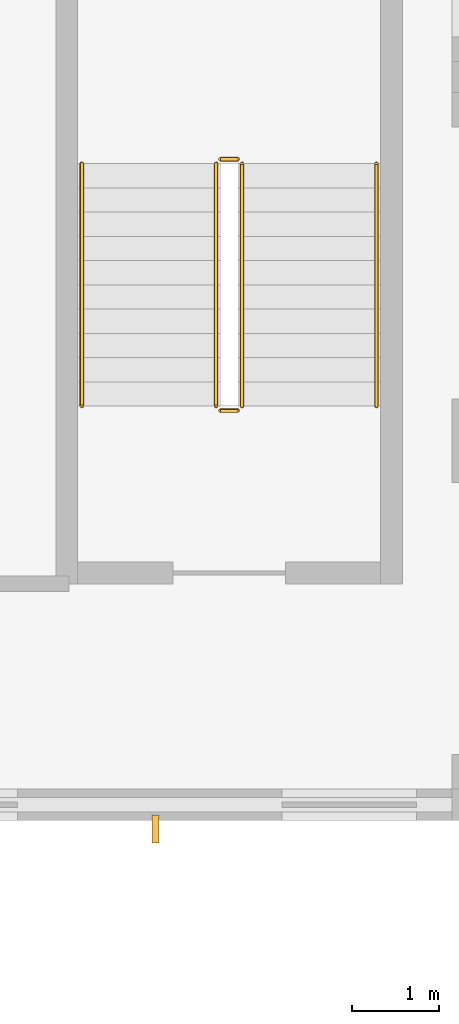
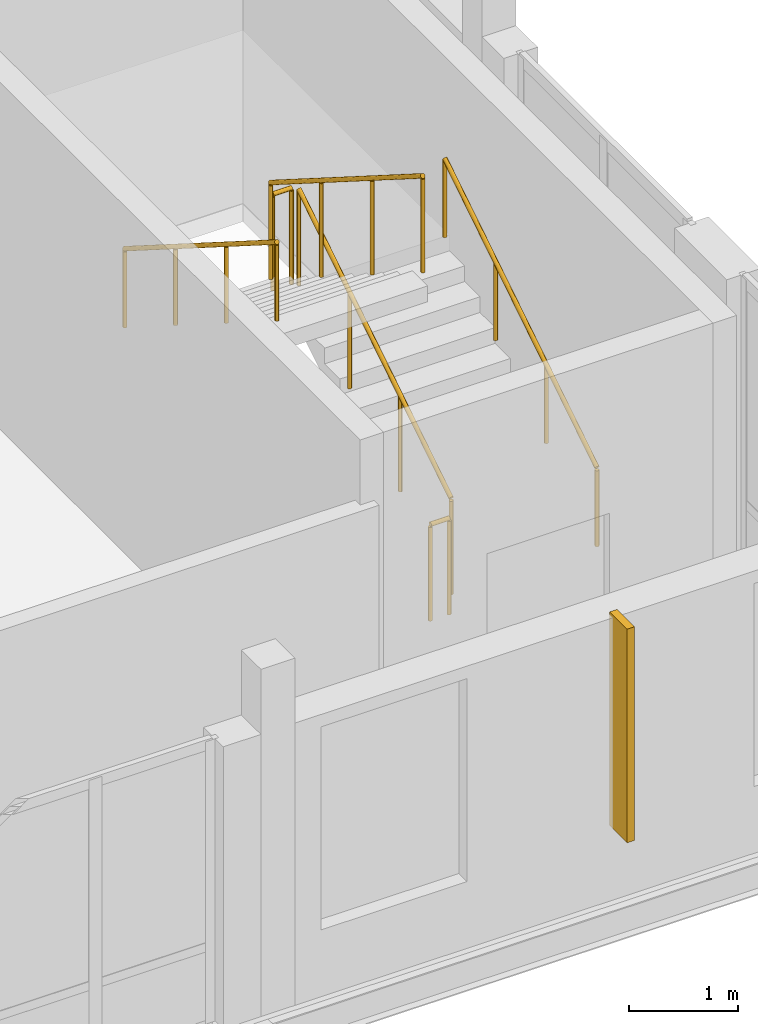
# One storey, part 54 of 57: 6 railings, 1 shading device.
"""IFC4 building model written with IfcOpenShell, lengths in metres."""

from ifc_helpers import new_model, si_unit, direction, frame, origin, origin_2d, place, context, subcontext, project, spatial, rectangle, circle, extrude, material, type_object, element, save


model = new_model("IFC4")

# Units and contexts
model_context = context("Model", 3, precision=1e-05, world=origin(), true_north=direction((0.0, 1.0)))
body_context = subcontext(model_context, "Body", "Model", "MODEL_VIEW")
ifc_project = project(units=[si_unit("LENGTHUNIT", "METRE"), si_unit("AREAUNIT", "SQUARE_METRE"), si_unit("VOLUMEUNIT", "CUBIC_METRE"), si_unit("PLANEANGLEUNIT", "RADIAN"), si_unit("MASSUNIT", "GRAM", prefix="KILO")], contexts=[model_context])

# Site, building, storey
site_placement = place(None, origin())
site = spatial("IfcSite", under=ifc_project, at=site_placement, CompositionType="ELEMENT")
building_placement = place(site_placement, origin())
building = spatial("IfcBuilding", under=site, at=building_placement, Name="Kahlenmark Community Centre", CompositionType="ELEMENT")
storey_placement = place(building_placement, frame((0.0, 0.0, 13.800048828125)))
storey = spatial("IfcBuildingStorey", under=building, at=storey_placement, Name="L03", CompositionType="ELEMENT", Elevation=13.800048828125)

# Railings
ifc_material_1 = material(Name="Brushed stainless steel 1.4301 handrail", Category="steel")
railing_type_1 = type_object("IfcRailingType", Name="RLT-HR-900", PredefinedType="HANDRAIL", material=ifc_material_1)
railing_1_placement = place(storey_placement, frame((85.75, 55.39990234375, 0.17724609375)))
element("IfcRailing", 1, at=railing_1_placement, inside=storey, type_object=railing_type_1, Name="L03 ST-06 stair handrail 1", PredefinedType="HANDRAIL", context=body_context, shape_type="SweptSolid", body=[
    extrude(circle(Radius=0.02392578125, at=origin_2d()), frame((0.0, 0.0, 0.8759765625), z_axis=(0.0, 0.844908973607, 0.534910110503), x_axis=(-1.0, 0.0, 0.0)), (0.0, 0.0, 1.0), 3.31396484375),
    extrude(circle(Radius=0.02099609375, at=origin_2d()), origin(), (0.0, 0.0, 1.0), 0.851806640625),
    extrude(circle(Radius=0.02099609375, at=origin_2d()), frame((0.0, 0.933349609375, 0.5908203125)), (0.0, 0.0, 1.0), 0.851806640625),
    extrude(circle(Radius=0.02099609375, at=origin_2d()), frame((0.0, 1.86669921875, 1.181884765625)), (0.0, 0.0, 1.0), 0.851806640625),
    extrude(circle(Radius=0.02099609375, at=origin_2d()), frame((0.0, 2.800048828125, 1.772705078125)), (0.0, 0.0, 1.0), 0.851806640625),
])
railing_2_placement = place(storey_placement, frame((82.35009765625, 58.199951171875, 2.127197265625)))
element("IfcRailing", 2, at=railing_2_placement, inside=storey, type_object=railing_type_1, Name="L03 ST-06 stair handrail 2", PredefinedType="HANDRAIL", context=body_context, shape_type="SweptSolid", body=[
    extrude(circle(Radius=0.02392578125, at=origin_2d()), frame((0.0, 0.0, 0.8759765625), z_axis=(0.0, -0.844908973607, 0.534910110503), x_axis=(1.0, 0.0, 0.0)), (0.0, 0.0, 1.0), 3.31396484375),
    extrude(circle(Radius=0.02099609375, at=origin_2d()), origin(), (0.0, 0.0, 1.0), 0.851806640625),
    extrude(circle(Radius=0.02099609375, at=origin_2d()), frame((0.0, -0.933349609375, 0.5908203125)), (0.0, 0.0, 1.0), 0.851806640625),
    extrude(circle(Radius=0.02099609375, at=origin_2d()), frame((0.0, -1.86669921875, 1.181884765625)), (0.0, 0.0, 1.0), 0.851806640625),
    extrude(circle(Radius=0.02099609375, at=origin_2d()), frame((0.0, -2.800048828125, 1.772705078125)), (0.0, 0.0, 1.0), 0.851806640625),
])
ifc_material_2 = material(Name="Powder-coated steel stair well guard", Category="steel")
railing_type_2 = type_object("IfcRailingType", Name="RLT-SG-1120", PredefinedType="GUARDRAIL", material=ifc_material_2)
railing_3_placement = place(storey_placement, frame((84.199951171875, 55.39990234375, 0.17724609375)))
element("IfcRailing", 3, at=railing_3_placement, inside=storey, type_object=railing_type_2, Name="L03 ST-06 stair guard 1", PredefinedType="GUARDRAIL", context=body_context, shape_type="SweptSolid", body=[
    extrude(circle(Radius=0.02392578125, at=origin_2d()), frame((0.0, 0.0, 1.076171875), z_axis=(0.0, 0.844908973607, 0.534910110503), x_axis=(-1.0, 0.0, 0.0)), (0.0, 0.0, 1.0), 3.31396484375),
    extrude(circle(Radius=0.02099609375, at=origin_2d()), origin(), (0.0, 0.0, 1.0), 1.052001953125),
    extrude(circle(Radius=0.02099609375, at=origin_2d()), frame((0.0, 0.933349609375, 0.5908203125)), (0.0, 0.0, 1.0), 1.052001953125),
    extrude(circle(Radius=0.02099609375, at=origin_2d()), frame((0.0, 1.86669921875, 1.181884765625)), (0.0, 0.0, 1.0), 1.052001953125),
    extrude(circle(Radius=0.02099609375, at=origin_2d()), frame((0.0, 2.800048828125, 1.772705078125)), (0.0, 0.0, 1.0), 1.052001953125),
])
railing_4_placement = place(storey_placement, frame((84.14990234375, 58.25, 1.949951171875)))
element("IfcRailing", 4, at=railing_4_placement, inside=storey, type_object=railing_type_2, Name="L03 ST-06 stair guard 2", PredefinedType="GUARDRAIL", context=body_context, shape_type="SweptSolid", body=[
    extrude(circle(Radius=0.02392578125, at=origin_2d()), frame((0.0, 0.0, 1.076171875), z_axis=(-1.0, 0.0, 0.0), x_axis=(0.0, -1.0, 0.0)), (0.0, 0.0, 1.0), 0.199951171875),
    extrude(circle(Radius=0.02099609375, at=origin_2d()), origin(), (0.0, 0.0, 1.0), 1.052001953125),
    extrude(circle(Radius=0.02099609375, at=origin_2d()), frame((-0.199951171875, 0.0, 0.0)), (0.0, 0.0, 1.0), 1.052001953125),
])
railing_5_placement = place(storey_placement, frame((83.89990234375, 58.199951171875, 2.127197265625)))
element("IfcRailing", 5, at=railing_5_placement, inside=storey, type_object=railing_type_2, Name="L03 ST-06 stair guard 3", PredefinedType="GUARDRAIL", context=body_context, shape_type="SweptSolid", body=[
    extrude(circle(Radius=0.02392578125, at=origin_2d()), frame((0.0, 0.0, 1.076171875), z_axis=(0.0, -0.844908973607, 0.534910110503), x_axis=(1.0, 0.0, 0.0)), (0.0, 0.0, 1.0), 3.31396484375),
    extrude(circle(Radius=0.02099609375, at=origin_2d()), origin(), (0.0, 0.0, 1.0), 1.052001953125),
    extrude(circle(Radius=0.02099609375, at=origin_2d()), frame((0.0, -0.933349609375, 0.5908203125)), (0.0, 0.0, 1.0), 1.052001953125),
    extrude(circle(Radius=0.02099609375, at=origin_2d()), frame((0.0, -1.86669921875, 1.181884765625)), (0.0, 0.0, 1.0), 1.052001953125),
    extrude(circle(Radius=0.02099609375, at=origin_2d()), frame((0.0, -2.800048828125, 1.772705078125)), (0.0, 0.0, 1.0), 1.052001953125),
])
railing_6_placement = place(storey_placement, frame((84.14990234375, 55.35009765625, 0.0)))
element("IfcRailing", 6, at=railing_6_placement, inside=storey, type_object=railing_type_2, Name="L03 ST-06 stair guard 4", PredefinedType="GUARDRAIL", context=body_context, shape_type="SweptSolid", body=[
    extrude(circle(Radius=0.02392578125, at=origin_2d()), frame((0.0, 0.0, 1.076171875), z_axis=(-1.0, 0.0, 0.0), x_axis=(0.0, -1.0, 0.0)), (0.0, 0.0, 1.0), 0.199951171875),
    extrude(circle(Radius=0.02099609375, at=origin_2d()), origin(), (0.0, 0.0, 1.0), 1.052001953125),
    extrude(circle(Radius=0.02099609375, at=origin_2d()), frame((-0.199951171875, 0.0, 0.0)), (0.0, 0.0, 1.0), 1.052001953125),
])

# Shading device
ifc_material_3 = material(Name="Extruded warm terracotta solar fin", Category="masonry")
shading_device_type = type_object("IfcShadingDeviceType", Name="SDT-FIN-320", PredefinedType="NOTDEFINED", material=ifc_material_3)
shading_device_placement = place(storey_placement, frame((83.199951171875, 50.52001953125, 0.800048828125), z_axis=(0.0, 0.0, 1.0), x_axis=(1.0, 0.0, 0.0)))
element("IfcShadingDevice", 7, at=shading_device_placement, inside=storey, type_object=shading_device_type, Name="Terracotta solar fin 0009", PredefinedType="NOTDEFINED", context=body_context, shape_type="SweptSolid", body=[
    extrude(rectangle(XDim=0.080078125, YDim=0.320068359375, at=origin_2d()), origin(), (0.0, 0.0, 1.0), 2.39990234375),
])

save(model, "model.ifc")
